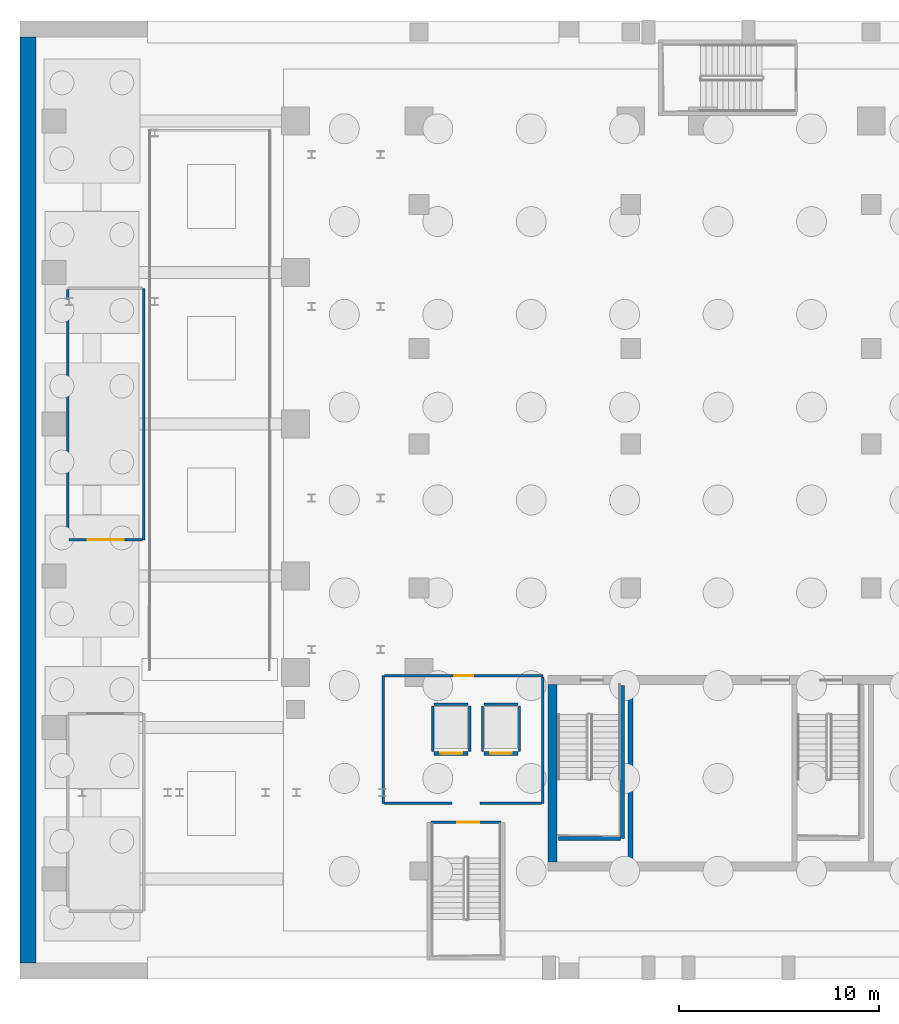
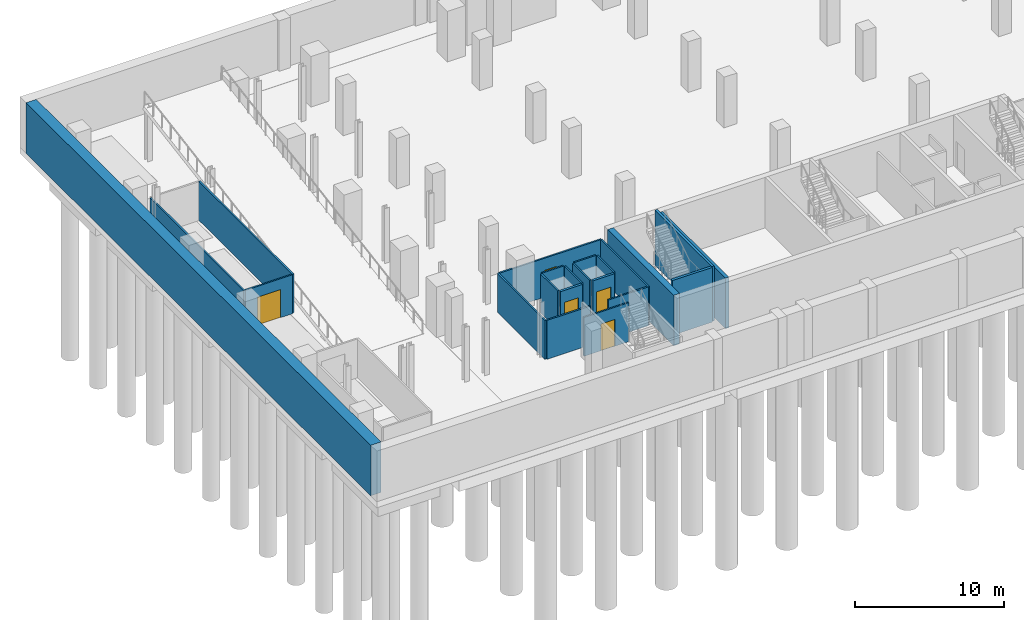
# One storey, part 8 of 18: 22 walls, 5 doors, 5 openings.
"""IFC4 building model written with IfcOpenShell, lengths in metres."""

from ifc_helpers import new_model, si_unit, direction, frame, frame_2d, origin, place, context, subcontext, project, spatial, rectangle, extrude, material, layer, layer_set, type_object, element, fill, save


model = new_model("IFC4")

# Units and contexts
model_context = context("Model", 3, precision=1e-05, world=origin(), true_north=direction((0.0, 1.0)))
body_context = subcontext(model_context, "Body", "Model", "MODEL_VIEW")
ifc_project = project(units=[si_unit("LENGTHUNIT", "METRE"), si_unit("AREAUNIT", "SQUARE_METRE"), si_unit("VOLUMEUNIT", "CUBIC_METRE"), si_unit("PLANEANGLEUNIT", "RADIAN"), si_unit("MASSUNIT", "GRAM", prefix="KILO")], contexts=[model_context])

# Site, building, storey
site_placement = place(None, origin())
site = spatial("IfcSite", under=ifc_project, at=site_placement, CompositionType="ELEMENT")
building_placement = place(site_placement, origin())
building = spatial("IfcBuilding", under=site, at=building_placement, Name="Ndaravel Arena Tower", CompositionType="ELEMENT")
storey_placement = place(building_placement, frame((0.0, 0.0, -9.0)))
storey = spatial("IfcBuildingStorey", under=building, at=storey_placement, Name="B02", CompositionType="ELEMENT", Elevation=-9.0)

# Walls
ifc_material_1 = material(Name="Concrete C60/75", Category="concrete")
ifc_layer_1 = layer(ifc_material_1, 0.25)
ifc_layer_set_1 = layer_set([ifc_layer_1], Name="Concrete C60/75")
wall_type_1 = type_object("IfcWallType", Name="WALL-CORE-250", PredefinedType="SOLIDWALL", material=ifc_layer_set_1)
wall_1_placement = place(storey_placement, frame((30.60009765625, 5.85009765625, 0.0), z_axis=(0.0, 0.0, 1.0), x_axis=(0.0, 1.0, 0.0)))
element("IfcWall", 1, at=wall_1_placement, inside=storey, type_object=wall_type_1, Name="B02 Core Web Shear Wall 1", PredefinedType="SOLIDWALL", context=body_context, shape_type="SweptSolid", body=[
    extrude(rectangle(XDim=8.89990234375, YDim=0.25, at=frame_2d((4.449951171875, 0.0))), origin(), (0.0, 0.0, 1.0), 4.14990234375),
])
ifc_material_2 = material(Name="Concrete C60/75", Category="concrete")
ifc_layer_2 = layer(ifc_material_2, 0.449951171875)
ifc_layer_set_2 = layer_set([ifc_layer_2], Name="Concrete C60/75")
wall_type_2 = type_object("IfcWallType", Name="WALL-CORE-450", PredefinedType="SOLIDWALL", material=ifc_layer_set_2)
wall_2_placement = place(storey_placement, frame((26.675048828125, 5.85009765625, 0.0), z_axis=(0.0, 0.0, 1.0), x_axis=(0.0, 1.0, 0.0)))
element("IfcWall", 2, at=wall_2_placement, inside=storey, type_object=wall_type_2, Name="B02 Core West Shear Wall", PredefinedType="SOLIDWALL", context=body_context, shape_type="SweptSolid", body=[
    extrude(rectangle(XDim=8.89990234375, YDim=0.449951171875, at=frame_2d((4.449951171875, 0.0))), origin(), (0.0, 0.0, 1.0), 4.14990234375),
])
ifc_material_3 = material(Name="Concrete C40/50", Category="concrete")
ifc_layer_3 = layer(ifc_material_3, 0.800048828125)
ifc_layer_set_3 = layer_set([ifc_layer_3], Name="Concrete C40/50")
wall_type_3 = type_object("IfcWallType", Name="WALL-DWALL-800", PredefinedType="USERDEFINED", material=ifc_layer_set_3)
wall_3_placement = place(storey_placement, frame((0.39990234375, 0.800048828125, 0.0), z_axis=(0.0, 0.0, 1.0), x_axis=(0.0, 1.0, 0.0)))
element("IfcWall", 3, at=wall_3_placement, inside=storey, type_object=wall_type_3, Name="B02 West Diaphragm Wall", ObjectType="RETAININGWALL", PredefinedType="USERDEFINED", context=body_context, shape_type="SweptSolid", body=[
    extrude(rectangle(XDim=46.39990234375, YDim=0.800048828125, at=frame_2d((23.199951171875, 0.0))), origin(), (0.0, 0.0, 1.0), 4.14990234375),
])
ifc_material_4 = material(Name="Gypsum", Category="gypsum")
ifc_layer_4 = layer(ifc_material_4, 0.125)
ifc_layer_set_4 = layer_set([ifc_layer_4], Name="Gypsum")
wall_type_4 = type_object("IfcWallType", Name="WALL-PART-125", PredefinedType="PARTITIONING", material=ifc_layer_set_4)
wall_4_placement = place(storey_placement, frame((6.199951171875, 22.0, 0.0), z_axis=(0.0, 0.0, 1.0), x_axis=(0.0, 1.0, 0.0)))
element("IfcWall", 4, at=wall_4_placement, inside=storey, type_object=wall_type_4, Name="B02 Interior Partition 005", PredefinedType="PARTITIONING", context=body_context, shape_type="SweptSolid", body=[
    extrude(rectangle(XDim=12.60009765625, YDim=0.125, at=frame_2d((6.300048828125, 0.0))), origin(), (0.0, 0.0, 1.0), 3.193359375),
])
wall_5_placement = place(storey_placement, frame((2.39990234375, 34.534912109375, 0.0), z_axis=(0.0, 0.0, 1.0), x_axis=(0.0, -1.0, 0.0)))
element("IfcWall", 5, at=wall_5_placement, inside=storey, type_object=wall_type_4, Name="B02 Interior Partition 007", PredefinedType="PARTITIONING", context=body_context, shape_type="SweptSolid", body=[
    extrude(rectangle(XDim=12.534912109375, YDim=0.125, at=frame_2d((6.267578125, 0.0))), origin(), (0.0, 0.0, 1.0), 3.193359375),
])

# Wall, opening, door
wall_6_placement = place(storey_placement, frame((2.465087890625, 22.0, 0.0), z_axis=(0.0, 0.0, 1.0), x_axis=(1.0, 0.0, 0.0)))
wall_6 = element("IfcWall", 6, at=wall_6_placement, inside=storey, type_object=wall_type_4, Name="B02 Interior Partition 008", PredefinedType="PARTITIONING", context=body_context, shape_type="SweptSolid", body=[
    extrude(rectangle(XDim=3.669921875, YDim=0.125, at=frame_2d((1.8349609375, 0.0))), origin(), (0.0, 0.0, 1.0), 3.193359375),
])
opening_1_placement = place(wall_6_placement, frame((0.93505859375, 0.0, 0.0)))
opening_1 = element("IfcOpeningElement", 7, at=opening_1_placement, cuts=wall_6, Name="Opening PD-01", PredefinedType="OPENING", context=body_context, shape_type="SweptSolid", body=[
    extrude(rectangle(XDim=1.800048828125, YDim=2.300048828125, at=frame_2d((0.89990234375, 1.14990234375))), frame((0.0, 0.0625, 0.0), z_axis=(0.0, -1.0, 0.0), x_axis=(1.0, 0.0, 0.0)), (0.0, 0.0, 1.0), 0.125),
])
ifc_material_5 = material(Name="Steel S355", Category="steel")
door_type_1 = type_object("IfcDoorType", Name="DT-09-PLANT-1800", OperationType="DOUBLE_DOOR_SINGLE_SWING", PredefinedType="DOOR", material=ifc_material_5)
door_1_placement = place(opening_1_placement, origin())
door_1 = element("IfcDoor", 8, at=door_1_placement, inside=storey, type_object=door_type_1, Name="B02 Sprinkler & Domestic Booster Pump Room Door", OperationType="SINGLE_SWING_LEFT", OverallHeight=2.300048828125, OverallWidth=1.800048828125, PredefinedType="DOOR", context=body_context, shape_type="SweptSolid", body=[
    extrude(rectangle(XDim=1.800048828125, YDim=2.300048828125, at=frame_2d((0.89990234375, 1.14990234375))), frame((0.0, 0.02490234375, 0.0), z_axis=(0.0, -1.0, 0.0), x_axis=(1.0, 0.0, 0.0)), (0.0, 0.0, 1.0), 0.050048828125),
])
fill(opening_1, door_1)

# Wall
wall_7_placement = place(storey_placement, frame((18.199951171875, 8.800048828125, 0.0), z_axis=(0.0, 0.0, 1.0), x_axis=(0.0, 1.0, 0.0)))
element("IfcWall", 9, at=wall_7_placement, inside=storey, type_object=wall_type_4, Name="B02 Interior Partition 009", PredefinedType="PARTITIONING", context=body_context, shape_type="SweptSolid", body=[
    extrude(rectangle(XDim=6.39990234375, YDim=0.125, at=frame_2d((3.199951171875, 0.0))), origin(), (0.0, 0.0, 1.0), 3.193359375),
])

# Wall, opening, door
wall_8_placement = place(storey_placement, frame((18.264892578125, 15.199951171875, 0.0), z_axis=(0.0, 0.0, 1.0), x_axis=(1.0, 0.0, 0.0)))
wall_8 = element("IfcWall", 10, at=wall_8_placement, inside=storey, type_object=wall_type_4, Name="B02 Interior Partition 010", PredefinedType="PARTITIONING", context=body_context, shape_type="SweptSolid", body=[
    extrude(rectangle(XDim=7.93505859375, YDim=0.125, at=frame_2d((3.967529296875, 0.0))), origin(), (0.0, 0.0, 1.0), 3.193359375),
])
opening_2_placement = place(wall_8_placement, frame((3.492431640625, 0.0, 0.0)))
opening_2 = element("IfcOpeningElement", 11, at=opening_2_placement, cuts=wall_8, Name="Opening FD-03", PredefinedType="OPENING", context=body_context, shape_type="SweptSolid", body=[
    extrude(rectangle(XDim=0.949951171875, YDim=2.199951171875, at=frame_2d((0.47509765625, 1.10009765625))), frame((0.0, 0.0625, 0.0), z_axis=(0.0, -1.0, 0.0), x_axis=(1.0, 0.0, 0.0)), (0.0, 0.0, 1.0), 0.125),
])
ifc_material_6 = material(Name="Steel S355", Category="steel")
door_type_2 = type_object("IfcDoorType", Name="DT-11-CORE-950", OperationType="SINGLE_SWING_LEFT", PredefinedType="DOOR", material=ifc_material_6)
door_2_placement = place(opening_2_placement, origin())
door_2 = element("IfcDoor", 12, at=door_2_placement, inside=storey, type_object=door_type_2, Name="B02 B02 Podium Lift Lobby Door", OperationType="SINGLE_SWING_RIGHT", OverallHeight=2.199951171875, OverallWidth=0.949951171875, PredefinedType="DOOR", context=body_context, shape_type="SweptSolid", body=[
    extrude(rectangle(XDim=0.949951171875, YDim=2.199951171875, at=frame_2d((0.47509765625, 1.10009765625))), frame((0.0, 0.02490234375, 0.0), z_axis=(0.0, -1.0, 0.0), x_axis=(1.0, 0.0, 0.0)), (0.0, 0.0, 1.0), 0.050048828125),
])
fill(opening_2, door_2)

# Walls
wall_9_placement = place(storey_placement, frame((26.199951171875, 15.135009765625, 0.0), z_axis=(0.0, 0.0, 1.0), x_axis=(0.0, -1.0, 0.0)))
element("IfcWall", 13, at=wall_9_placement, inside=storey, type_object=wall_type_4, Name="B02 Interior Partition 011", PredefinedType="PARTITIONING", context=body_context, shape_type="SweptSolid", body=[
    extrude(rectangle(XDim=6.3349609375, YDim=0.125, at=frame_2d((3.16748046875, 0.0))), origin(), (0.0, 0.0, 1.0), 3.193359375),
])
wall_10_placement = place(storey_placement, frame((26.135009765625, 8.800048828125, 0.0), z_axis=(0.0, 0.0, 1.0), x_axis=(-1.0, 0.0, 0.0)))
element("IfcWall", 14, at=wall_10_placement, inside=storey, type_object=wall_type_4, Name="B02 Interior Partition 012", PredefinedType="PARTITIONING", context=body_context, shape_type="SweptSolid", body=[
    extrude(rectangle(XDim=3.0849609375, YDim=0.125, at=frame_2d((1.54248046875, 0.0))), origin(), (0.0, 0.0, 1.0), 3.193359375),
])
wall_11_placement = place(storey_placement, frame((21.64990234375, 8.800048828125, 0.0), z_axis=(0.0, 0.0, 1.0), x_axis=(-1.0, 0.0, 0.0)))
element("IfcWall", 15, at=wall_11_placement, inside=storey, type_object=wall_type_4, Name="B02 Interior Partition 013", PredefinedType="PARTITIONING", context=body_context, shape_type="SweptSolid", body=[
    extrude(rectangle(XDim=3.385009765625, YDim=0.125, at=frame_2d((1.6923828125, 0.0))), origin(), (0.0, 0.0, 1.0), 3.193359375),
])

# Wall, opening, door
ifc_material_7 = material(Name="Concrete C40/50", Category="concrete")
ifc_layer_5 = layer(ifc_material_7, 0.1201171875)
ifc_layer_set_5 = layer_set([ifc_layer_5], Name="Concrete C40/50")
wall_type_5 = type_object("IfcWallType", Name="WALL-SHAFT-120", PredefinedType="SOLIDWALL", material=ifc_layer_set_5)
wall_12_placement = place(storey_placement, frame((20.60498046875, 7.85009765625, 0.0), z_axis=(0.0, 0.0, 1.0), x_axis=(1.0, 0.0, 0.0)))
wall_12 = element("IfcWall", 16, at=wall_12_placement, inside=storey, type_object=wall_type_5, Name="B02 ST-B1 Entry Wall", PredefinedType="SOLIDWALL", context=body_context, shape_type="SweptSolid", body=[
    extrude(rectangle(XDim=3.489990234375, YDim=0.1201171875, at=frame_2d((1.7451171875, 0.0))), origin(), (0.0, 0.0, 1.0), 3.193359375),
])
opening_3_placement = place(wall_12_placement, frame((1.300048828125, 0.0, 0.0)))
opening_3 = element("IfcOpeningElement", 17, at=opening_3_placement, cuts=wall_12, Name="Opening FD-01", PredefinedType="OPENING", context=body_context, shape_type="SweptSolid", body=[
    extrude(rectangle(XDim=1.10009765625, YDim=2.199951171875, at=frame_2d((0.550048828125, 1.10009765625))), frame((0.0, 0.06005859375, 0.0), z_axis=(0.0, -1.0, 0.0), x_axis=(1.0, 0.0, 0.0)), (0.0, 0.0, 1.0), 0.1201171875),
])
ifc_material_8 = material(Name="Steel S355", Category="steel")
door_type_3 = type_object("IfcDoorType", Name="DT-01-STAIR-1100", OperationType="SINGLE_SWING_LEFT", PredefinedType="DOOR", material=ifc_material_8)
door_3_placement = place(opening_3_placement, origin())
door_3 = element("IfcDoor", 18, at=door_3_placement, inside=storey, type_object=door_type_3, Name="B02 ST-B1 Fire Exit Stair Door", OperationType="SINGLE_SWING_LEFT", OverallHeight=2.199951171875, OverallWidth=1.10009765625, PredefinedType="DOOR", context=body_context, shape_type="SweptSolid", body=[
    extrude(rectangle(XDim=1.10009765625, YDim=2.199951171875, at=frame_2d((0.550048828125, 1.10009765625))), frame((0.0, 0.02490234375, 0.0), z_axis=(0.0, -1.0, 0.0), x_axis=(1.0, 0.0, 0.0)), (0.0, 0.0, 1.0), 0.050048828125),
])
fill(opening_3, door_3)

# Walls
wall_13_placement = place(storey_placement, frame((20.7548828125, 13.760009765625, 0.0), z_axis=(0.0, 0.0, 1.0), x_axis=(1.0, 0.0, 0.0)))
element("IfcWall", 19, at=wall_13_placement, inside=storey, type_object=wall_type_5, Name="B02 PL-A1 Shaft Rear Wall", PredefinedType="SOLIDWALL", context=body_context, shape_type="SweptSolid", body=[
    extrude(rectangle(XDim=1.690185546875, YDim=0.1201171875, at=frame_2d((0.84521484375, 0.0))), origin(), (0.0, 0.0, 1.0), 3.193359375),
])
for number, where, z_axis, x_axis, name in (
    (20, (20.675048828125, 11.389892578125, 0.0), (0.0, 0.0, 1.0), (0.0, 1.0, 0.0), "B02 PL-A1 Shaft Side L Wall"),
    (21, (22.52490234375, 11.389892578125, 0.0), (0.0, 0.0, 1.0), (0.0, 1.0, 0.0), "B02 PL-A1 Shaft Side R Wall"),
):
    element("IfcWall", number, at=place(storey_placement, frame(where, z_axis=z_axis, x_axis=x_axis)), inside=storey, type_object=wall_type_5, Name=name, PredefinedType="SOLIDWALL", context=body_context, shape_type="SweptSolid", body=[
        extrude(rectangle(XDim=2.280029296875, YDim=0.1201171875, at=frame_2d((1.14013671875, 0.0))), origin(), (0.0, 0.0, 1.0), 3.193359375),
    ])
wall_14_placement = place(storey_placement, frame((23.2548828125, 13.760009765625, 0.0), z_axis=(0.0, 0.0, 1.0), x_axis=(1.0, 0.0, 0.0)))
element("IfcWall", 22, at=wall_14_placement, inside=storey, type_object=wall_type_5, Name="B02 PL-A2 Shaft Rear Wall", PredefinedType="SOLIDWALL", context=body_context, shape_type="SweptSolid", body=[
    extrude(rectangle(XDim=1.690185546875, YDim=0.1201171875, at=frame_2d((0.84521484375, 0.0))), origin(), (0.0, 0.0, 1.0), 3.193359375),
])
for number, where, z_axis, x_axis, name in (
    (23, (23.175048828125, 11.389892578125, 0.0), (0.0, 0.0, 1.0), (0.0, 1.0, 0.0), "B02 PL-A2 Shaft Side L Wall"),
    (24, (25.02490234375, 11.389892578125, 0.0), (0.0, 0.0, 1.0), (0.0, 1.0, 0.0), "B02 PL-A2 Shaft Side R Wall"),
):
    element("IfcWall", number, at=place(storey_placement, frame(where, z_axis=z_axis, x_axis=x_axis)), inside=storey, type_object=wall_type_5, Name=name, PredefinedType="SOLIDWALL", context=body_context, shape_type="SweptSolid", body=[
        extrude(rectangle(XDim=2.280029296875, YDim=0.1201171875, at=frame_2d((1.14013671875, 0.0))), origin(), (0.0, 0.0, 1.0), 3.193359375),
    ])
ifc_material_9 = material(Name="Concrete C40/50", Category="concrete")
ifc_layer_6 = layer(ifc_material_9, 0.199951171875)
ifc_layer_set_6 = layer_set([ifc_layer_6], Name="Concrete C40/50")
wall_type_6 = type_object("IfcWallType", Name="WALL-SHAFT-200", PredefinedType="SOLIDWALL", material=ifc_layer_set_6)
wall_15_placement = place(storey_placement, frame((30.18994140625, 14.699951171875, 0.0), z_axis=(0.0, 0.0, 1.0), x_axis=(0.0, -1.0, 0.0)))
element("IfcWall", 25, at=wall_15_placement, inside=storey, type_object=wall_type_6, Name="B02 ST-1 Structural Shaft Wall Right", PredefinedType="SOLIDWALL", context=body_context, shape_type="SweptSolid", body=[
    extrude(rectangle(XDim=7.64990234375, YDim=0.199951171875, at=frame_2d((3.824951171875, 0.0))), origin(), (0.0, 0.0, 1.0), 4.5),
])
wall_16_placement = place(storey_placement, frame((26.969970703125, 7.050048828125, 0.0), z_axis=(0.0, 0.0, 1.0), x_axis=(1.0, 0.0, 0.0)))
element("IfcWall", 26, at=wall_16_placement, inside=storey, type_object=wall_type_6, Name="B02 ST-1 Structural Shaft Wall Far", PredefinedType="SOLIDWALL", context=body_context, shape_type="SweptSolid", body=[
    extrude(rectangle(XDim=3.114990234375, YDim=0.199951171875, at=frame_2d((1.5576171875, 0.0))), origin(), (0.0, 0.0, 1.0), 4.5),
])

# Wall, opening, door
wall_17_placement = place(storey_placement, frame((20.7548828125, 11.300048828125, 0.0), z_axis=(0.0, 0.0, 1.0), x_axis=(1.0, 0.0, 0.0)))
wall_17 = element("IfcWall", 27, at=wall_17_placement, inside=storey, type_object=wall_type_6, Name="B02 PL-A1 Shaft Landing Wall", PredefinedType="SOLIDWALL", context=body_context, shape_type="SweptSolid", body=[
    extrude(rectangle(XDim=1.690185546875, YDim=0.179931640625, at=frame_2d((0.84521484375, 0.0))), origin(), (0.0, 0.0, 1.0), 3.193359375),
])
opening_4_placement = place(wall_17_placement, frame((0.294921875, 0.0, 0.0)))
opening_4 = element("IfcOpeningElement", 28, at=opening_4_placement, cuts=wall_17, Name="Opening LD-01", PredefinedType="OPENING", context=body_context, shape_type="SweptSolid", body=[
    extrude(rectangle(XDim=1.10009765625, YDim=2.199951171875, at=frame_2d((0.550048828125, 1.10009765625))), frame((0.0, 0.08984375, 0.0), z_axis=(0.0, -1.0, 0.0), x_axis=(1.0, 0.0, 0.0)), (0.0, 0.0, 1.0), 0.179931640625),
])
ifc_material_10 = material(Name="Steel S355", Category="steel")
door_type_4 = type_object("IfcDoorType", Name="DT-06-LIFT-1100", OperationType="SLIDING_TO_LEFT", PredefinedType="DOOR", material=ifc_material_10)
door_4_placement = place(opening_4_placement, origin())
door_4 = element("IfcDoor", 29, at=door_4_placement, inside=storey, type_object=door_type_4, Name="B02 Lift PL-A1 Sliding Landing Door", OperationType="SLIDING_TO_LEFT", OverallHeight=2.199951171875, OverallWidth=1.10009765625, PredefinedType="DOOR", context=body_context, shape_type="SweptSolid", body=[
    extrude(rectangle(XDim=1.10009765625, YDim=2.199951171875, at=frame_2d((0.550048828125, 1.10009765625))), frame((0.0, 0.02490234375, 0.0), z_axis=(0.0, -1.0, 0.0), x_axis=(1.0, 0.0, 0.0)), (0.0, 0.0, 1.0), 0.050048828125),
])
fill(opening_4, door_4)

wall_18_placement = place(storey_placement, frame((23.2548828125, 11.300048828125, 0.0), z_axis=(0.0, 0.0, 1.0), x_axis=(1.0, 0.0, 0.0)))
wall_18 = element("IfcWall", 30, at=wall_18_placement, inside=storey, type_object=wall_type_6, Name="B02 PL-A2 Shaft Landing Wall", PredefinedType="SOLIDWALL", context=body_context, shape_type="SweptSolid", body=[
    extrude(rectangle(XDim=1.690185546875, YDim=0.179931640625, at=frame_2d((0.84521484375, 0.0))), origin(), (0.0, 0.0, 1.0), 3.193359375),
])
opening_5_placement = place(wall_18_placement, frame((0.294921875, 0.0, 0.0)))
opening_5 = element("IfcOpeningElement", 31, at=opening_5_placement, cuts=wall_18, Name="Opening LD-01", PredefinedType="OPENING", context=body_context, shape_type="SweptSolid", body=[
    extrude(rectangle(XDim=1.10009765625, YDim=2.199951171875, at=frame_2d((0.550048828125, 1.10009765625))), frame((0.0, 0.08984375, 0.0), z_axis=(0.0, -1.0, 0.0), x_axis=(1.0, 0.0, 0.0)), (0.0, 0.0, 1.0), 0.179931640625),
])
door_5_placement = place(opening_5_placement, origin())
door_5 = element("IfcDoor", 32, at=door_5_placement, inside=storey, type_object=door_type_4, Name="B02 Lift PL-A2 Sliding Landing Door", OperationType="SLIDING_TO_LEFT", OverallHeight=2.199951171875, OverallWidth=1.10009765625, PredefinedType="DOOR", context=body_context, shape_type="SweptSolid", body=[
    extrude(rectangle(XDim=1.10009765625, YDim=2.199951171875, at=frame_2d((0.550048828125, 1.10009765625))), frame((0.0, 0.02490234375, 0.0), z_axis=(0.0, -1.0, 0.0), x_axis=(1.0, 0.0, 0.0)), (0.0, 0.0, 1.0), 0.050048828125),
])
fill(opening_5, door_5)

save(model, "model.ifc")
